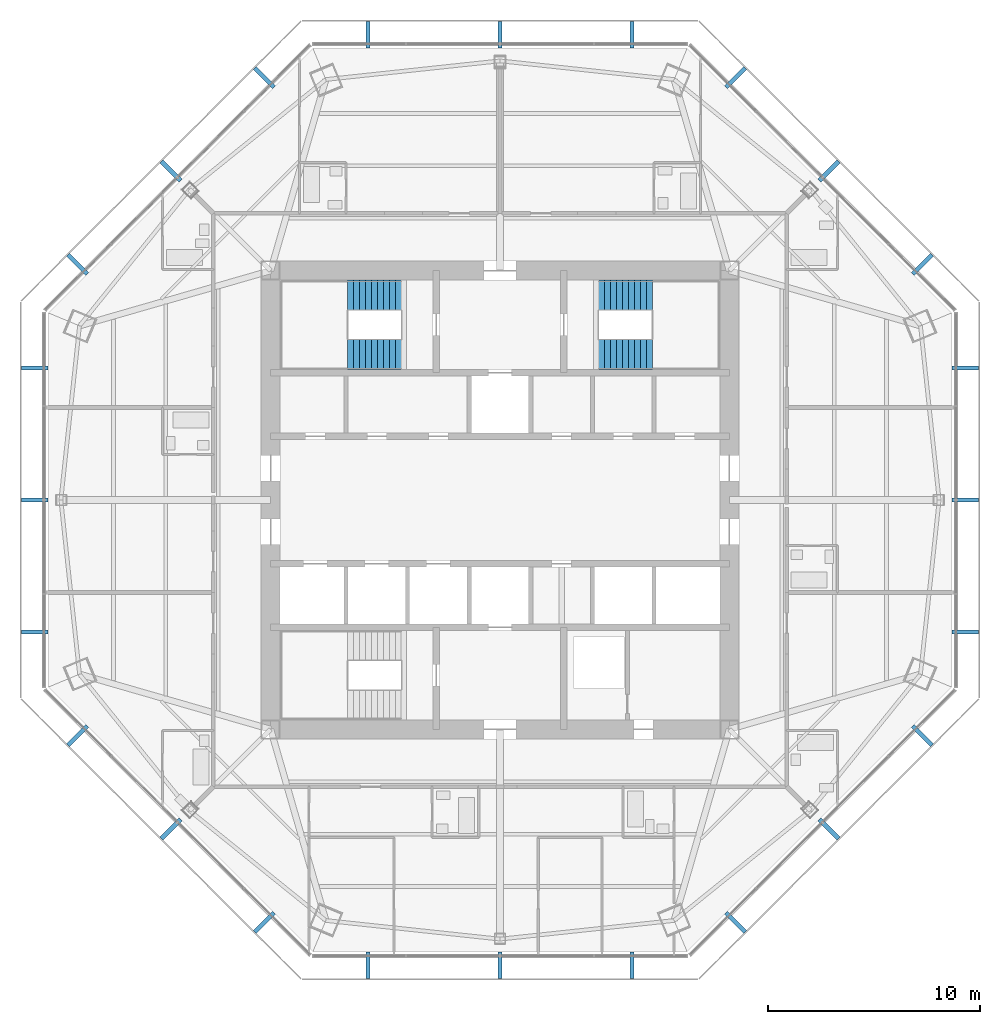
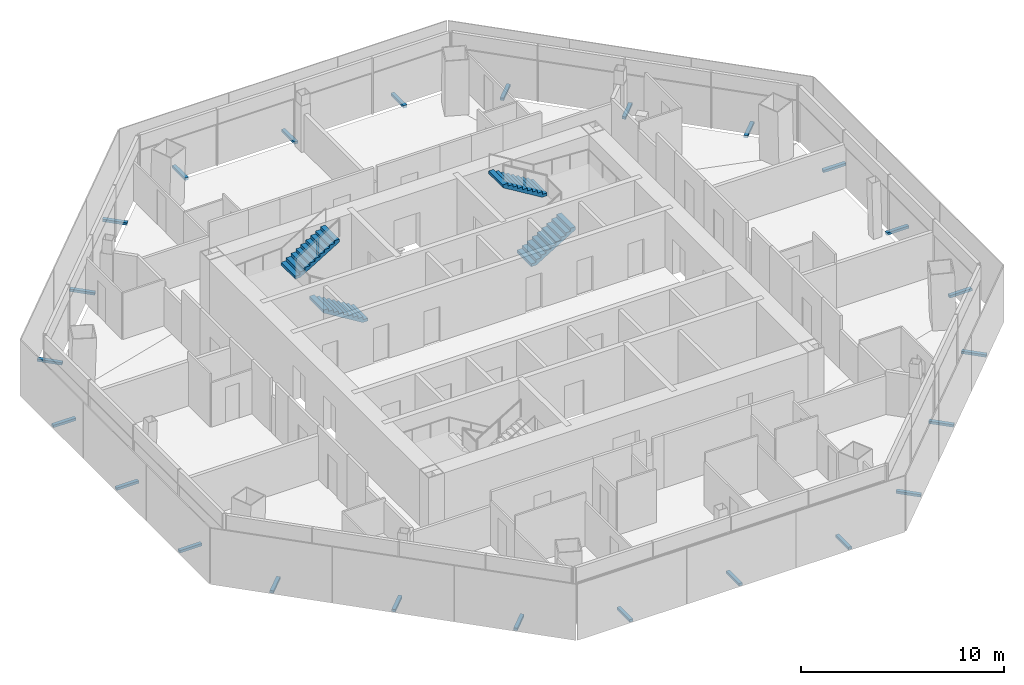
# One storey, part 12 of 15: 24 discrete accessories, 4 stair flights, 2 elements without a shape of their own.
"""IFC4 building model written with IfcOpenShell, lengths in metres."""

from ifc_helpers import new_model, si_unit, direction, frame, origin, origin_2d, place, context, subcontext, project, spatial, polyline, rectangle, outline, extrude, source, transform, mapped, material, type_object, type_shapes, element, aggregate, save


model = new_model("IFC4")

# Units and contexts
model_context = context("Model", 3, precision=1e-05, world=origin(), true_north=direction((0.0, 1.0)))
body_context = subcontext(model_context, "Body", "Model", "MODEL_VIEW")
ifc_project = project(units=[si_unit("LENGTHUNIT", "METRE"), si_unit("AREAUNIT", "SQUARE_METRE"), si_unit("VOLUMEUNIT", "CUBIC_METRE"), si_unit("PLANEANGLEUNIT", "RADIAN"), si_unit("MASSUNIT", "GRAM", prefix="KILO")], contexts=[model_context])

# Site, building, storey
site_placement = place(None, origin())
site = spatial("IfcSite", under=ifc_project, at=site_placement, CompositionType="ELEMENT")
building_placement = place(site_placement, origin())
building = spatial("IfcBuilding", under=site, at=building_placement, Name="Mashrafa Tower", CompositionType="ELEMENT")
storey_placement = place(building_placement, frame((0.0, 0.0, 231.199951171875)))
storey = spatial("IfcBuildingStorey", under=building, at=storey_placement, Name="L54", CompositionType="ELEMENT", Elevation=231.199951171875)

# Stair, stair flights
ifc_material_1 = material(Name="Exit stair 1400")
stair_type = type_object("IfcStairType", Name="Exit stair 1400", PredefinedType="HALF_TURN_STAIR", material=ifc_material_1)
stair_1_placement = place(storey_placement, origin())
stair_1 = element("IfcStair", 1, at=stair_1_placement, inside=storey, type_object=stair_type, Name="Stair S1 L54", PredefinedType="HALF_TURN_STAIR")
ifc_material_2 = material(Name="Concrete C32/40", Category="concrete")
stair_flight_type = type_object("IfcStairFlightType", Name="Stair flight 1400", PredefinedType="STRAIGHT", material=ifc_material_2)
stair_flight_1_placement = place(storey_placement, frame((-4.64990234375, 6.85009765625, 0.0), z_axis=(0.0, 0.0, 1.0), x_axis=(-1.0, 0.0, 0.0)))
stair_flight_1 = element("IfcStairFlight", 2, at=stair_flight_1_placement, type_object=stair_flight_type, Name="S1 flight 1", NumberOfRisers=10, NumberOfTreads=9, PredefinedType="STRAIGHT", RiserHeight=0.17, TreadLength=0.28, context=body_context, shape_type="SweptSolid", body=[
    extrude(outline(polyline([(0.0, 0.0), (0.0, 0.169921875), (0.280029296875, 0.169921875), (0.280029296875, 0.340087890625), (0.56005859375, 0.340087890625), (0.56005859375, 0.510009765625), (0.840087890625, 0.510009765625), (0.840087890625, 0.679931640625), (1.1201171875, 0.679931640625), (1.1201171875, 0.85009765625), (1.39990234375, 0.85009765625), (1.39990234375, 1.02001953125), (1.679931640625, 1.02001953125), (1.679931640625, 1.18994140625), (1.9599609375, 1.18994140625), (1.9599609375, 1.360107421875), (2.239990234375, 1.360107421875), (2.239990234375, 1.530029296875), (2.52001953125, 1.530029296875), (2.52001953125, 1.699951171875), (2.52001953125, 1.354736328125), (0.288818359375, 0.0), (0.0, 0.0)])), frame((0.0, 0.699951171875, 0.0), z_axis=(0.0, -1.0, 0.0), x_axis=(1.0, 0.0, 0.0)), (0.0, 0.0, 1.0), 1.39990234375),
])
stair_flight_2_placement = place(storey_placement, frame((-7.169921875, 9.64990234375, 1.699951171875), z_axis=(0.0, 0.0, 1.0), x_axis=(1.0, 0.0, 0.0)))
stair_flight_2 = element("IfcStairFlight", 3, at=stair_flight_2_placement, type_object=stair_flight_type, Name="S1 flight 2", NumberOfRisers=10, NumberOfTreads=9, PredefinedType="STRAIGHT", RiserHeight=0.17, TreadLength=0.28, context=body_context, shape_type="SweptSolid", body=[
    extrude(outline(polyline([(0.0, 0.0), (0.0, 0.169921875), (0.280029296875, 0.169921875), (0.280029296875, 0.340087890625), (0.56005859375, 0.340087890625), (0.56005859375, 0.510009765625), (0.840087890625, 0.510009765625), (0.840087890625, 0.679931640625), (1.1201171875, 0.679931640625), (1.1201171875, 0.85009765625), (1.39990234375, 0.85009765625), (1.39990234375, 1.02001953125), (1.679931640625, 1.02001953125), (1.679931640625, 1.18994140625), (1.9599609375, 1.18994140625), (1.9599609375, 1.360107421875), (2.239990234375, 1.360107421875), (2.239990234375, 1.530029296875), (2.52001953125, 1.530029296875), (2.52001953125, 1.699951171875), (2.52001953125, 1.354736328125), (0.288818359375, 0.0), (0.0, 0.0)])), frame((0.0, 0.699951171875, 0.0), z_axis=(0.0, -1.0, 0.0), x_axis=(1.0, 0.0, 0.0)), (0.0, 0.0, 1.0), 1.39990234375),
])
aggregate(stair_1, [stair_flight_1, stair_flight_2])

stair_2_placement = place(storey_placement, origin())
stair_2 = element("IfcStair", 4, at=stair_2_placement, inside=storey, type_object=stair_type, Name="Stair S2 L54", PredefinedType="HALF_TURN_STAIR")
stair_flight_3_placement = place(storey_placement, frame((4.64990234375, 6.85009765625, 0.0), z_axis=(0.0, 0.0, 1.0), x_axis=(1.0, 0.0, 0.0)))
stair_flight_3 = element("IfcStairFlight", 5, at=stair_flight_3_placement, type_object=stair_flight_type, Name="S2 flight 1", NumberOfRisers=10, NumberOfTreads=9, PredefinedType="STRAIGHT", RiserHeight=0.17, TreadLength=0.28, context=body_context, shape_type="SweptSolid", body=[
    extrude(outline(polyline([(0.0, 0.0), (0.0, 0.169921875), (0.280029296875, 0.169921875), (0.280029296875, 0.340087890625), (0.56005859375, 0.340087890625), (0.56005859375, 0.510009765625), (0.840087890625, 0.510009765625), (0.840087890625, 0.679931640625), (1.1201171875, 0.679931640625), (1.1201171875, 0.85009765625), (1.39990234375, 0.85009765625), (1.39990234375, 1.02001953125), (1.679931640625, 1.02001953125), (1.679931640625, 1.18994140625), (1.9599609375, 1.18994140625), (1.9599609375, 1.360107421875), (2.239990234375, 1.360107421875), (2.239990234375, 1.530029296875), (2.52001953125, 1.530029296875), (2.52001953125, 1.699951171875), (2.52001953125, 1.354736328125), (0.288818359375, 0.0), (0.0, 0.0)])), frame((0.0, 0.699951171875, 0.0), z_axis=(0.0, -1.0, 0.0), x_axis=(1.0, 0.0, 0.0)), (0.0, 0.0, 1.0), 1.39990234375),
])
stair_flight_4_placement = place(storey_placement, frame((7.169921875, 9.64990234375, 1.699951171875), z_axis=(0.0, 0.0, 1.0), x_axis=(-1.0, 0.0, 0.0)))
stair_flight_4 = element("IfcStairFlight", 6, at=stair_flight_4_placement, type_object=stair_flight_type, Name="S2 flight 2", NumberOfRisers=10, NumberOfTreads=9, PredefinedType="STRAIGHT", RiserHeight=0.17, TreadLength=0.28, context=body_context, shape_type="SweptSolid", body=[
    extrude(outline(polyline([(0.0, 0.0), (0.0, 0.169921875), (0.280029296875, 0.169921875), (0.280029296875, 0.340087890625), (0.56005859375, 0.340087890625), (0.56005859375, 0.510009765625), (0.840087890625, 0.510009765625), (0.840087890625, 0.679931640625), (1.1201171875, 0.679931640625), (1.1201171875, 0.85009765625), (1.39990234375, 0.85009765625), (1.39990234375, 1.02001953125), (1.679931640625, 1.02001953125), (1.679931640625, 1.18994140625), (1.9599609375, 1.18994140625), (1.9599609375, 1.360107421875), (2.239990234375, 1.360107421875), (2.239990234375, 1.530029296875), (2.52001953125, 1.530029296875), (2.52001953125, 1.699951171875), (2.52001953125, 1.354736328125), (0.288818359375, 0.0), (0.0, 0.0)])), frame((0.0, 0.699951171875, 0.0), z_axis=(0.0, -1.0, 0.0), x_axis=(1.0, 0.0, 0.0)), (0.0, 0.0, 1.0), 1.39990234375),
])
aggregate(stair_2, [stair_flight_3, stair_flight_4])

# Discrete accessories
ifc_material_3 = material(Name="Stainless steel screen bracket", Category="steel")
discrete_accessory_type = type_object("IfcDiscreteAccessoryType", Name="Screen support bracket 200 x 150", PredefinedType="BRACKET", material=ifc_material_3)
shared_shape = source(origin(), body_context, "Body", "SweptSolid", [
    extrude(rectangle(XDim=0.199951171875, YDim=1.27001953125, at=origin_2d()), origin(), (0.0, 0.0, 1.0), 0.14990234375),
])
type_shapes(discrete_accessory_type, [shared_shape])
for number, where, z_axis, x_axis, name in (
    (7, (21.909423828125, -6.21875, -0.14990234375), (0.0, 0.0, 1.0), (0.0, 1.0, 0.0), "Screen support bracket L54 east 1"),
    (8, (21.909423828125, 0.0, -0.14990234375), (0.0, 0.0, 1.0), (0.0, 1.0, 0.0), "Screen support bracket L54 east 2"),
    (9, (21.909423828125, 6.21875, -0.14990234375), (0.0, 0.0, 1.0), (0.0, 1.0, 0.0), "Screen support bracket L54 east 3"),
    (10, (19.8896484375, 11.094970703125, -0.14990234375), (0.0, 0.0, 1.0), (-0.707106781187, 0.707106781187, 0.0), "Screen support bracket L54 north-east 1"),
    (11, (15.4921875, 15.4921875, -0.14990234375), (0.0, 0.0, 1.0), (-0.707106781187, 0.707106781187, 0.0), "Screen support bracket L54 north-east 2"),
    (12, (11.094970703125, 19.8896484375, -0.14990234375), (0.0, 0.0, 1.0), (-0.707106781187, 0.707106781187, 0.0), "Screen support bracket L54 north-east 3"),
    (13, (6.21875, 21.909423828125, -0.14990234375), (0.0, 0.0, 1.0), (-1.0, 0.0, 0.0), "Screen support bracket L54 north 1"),
    (14, (0.0, 21.909423828125, -0.14990234375), (0.0, 0.0, 1.0), (-1.0, 0.0, 0.0), "Screen support bracket L54 north 2"),
    (15, (-6.21875, 21.909423828125, -0.14990234375), (0.0, 0.0, 1.0), (-1.0, 0.0, 0.0), "Screen support bracket L54 north 3"),
    (16, (-11.094970703125, 19.8896484375, -0.14990234375), (0.0, 0.0, 1.0), (-0.707106781187, -0.707106781187, 0.0), "Screen support bracket L54 north-west 1"),
    (17, (-15.4921875, 15.4921875, -0.14990234375), (0.0, 0.0, 1.0), (-0.707106781187, -0.707106781187, 0.0), "Screen support bracket L54 north-west 2"),
    (18, (-19.8896484375, 11.094970703125, -0.14990234375), (0.0, 0.0, 1.0), (-0.707106781187, -0.707106781187, 0.0), "Screen support bracket L54 north-west 3"),
    (19, (-21.909423828125, 6.21875, -0.14990234375), (0.0, 0.0, 1.0), (0.0, -1.0, 0.0), "Screen support bracket L54 west 1"),
    (20, (-21.909423828125, 0.0, -0.14990234375), (0.0, 0.0, 1.0), (0.0, -1.0, 0.0), "Screen support bracket L54 west 2"),
    (21, (-21.909423828125, -6.21875, -0.14990234375), (0.0, 0.0, 1.0), (0.0, -1.0, 0.0), "Screen support bracket L54 west 3"),
    (22, (-19.8896484375, -11.094970703125, -0.14990234375), (0.0, 0.0, 1.0), (0.707106781187, -0.707106781187, 0.0), "Screen support bracket L54 south-west 1"),
    (23, (-15.4921875, -15.4921875, -0.14990234375), (0.0, 0.0, 1.0), (0.707106781187, -0.707106781187, 0.0), "Screen support bracket L54 south-west 2"),
    (24, (-11.094970703125, -19.8896484375, -0.14990234375), (0.0, 0.0, 1.0), (0.707106781187, -0.707106781187, 0.0), "Screen support bracket L54 south-west 3"),
    (25, (-6.21875, -21.909423828125, -0.14990234375), (0.0, 0.0, 1.0), (1.0, 0.0, 0.0), "Screen support bracket L54 south 1"),
    (26, (0.0, -21.909423828125, -0.14990234375), (0.0, 0.0, 1.0), (1.0, 0.0, 0.0), "Screen support bracket L54 south 2"),
    (27, (6.21875, -21.909423828125, -0.14990234375), (0.0, 0.0, 1.0), (1.0, 0.0, 0.0), "Screen support bracket L54 south 3"),
    (28, (11.094970703125, -19.8896484375, -0.14990234375), (0.0, 0.0, 1.0), (0.707106781187, 0.707106781187, 0.0), "Screen support bracket L54 south-east 1"),
    (29, (15.4921875, -15.4921875, -0.14990234375), (0.0, 0.0, 1.0), (0.707106781187, 0.707106781187, 0.0), "Screen support bracket L54 south-east 2"),
    (30, (19.8896484375, -11.094970703125, -0.14990234375), (0.0, 0.0, 1.0), (0.707106781187, 0.707106781187, 0.0), "Screen support bracket L54 south-east 3"),
):
    element("IfcDiscreteAccessory", number, at=place(storey_placement, frame(where, z_axis=z_axis, x_axis=x_axis)), inside=storey, type_object=discrete_accessory_type, Name=name, PredefinedType="BRACKET", context=body_context, shape_type="MappedRepresentation", body=[
        mapped(shared_shape, transform((0.0, 0.0, 0.0))),
    ])

save(model, "model.ifc")
